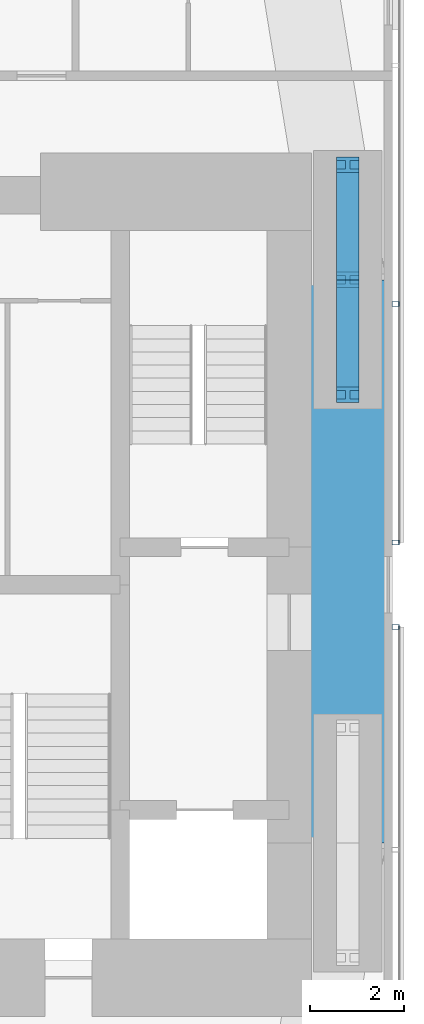
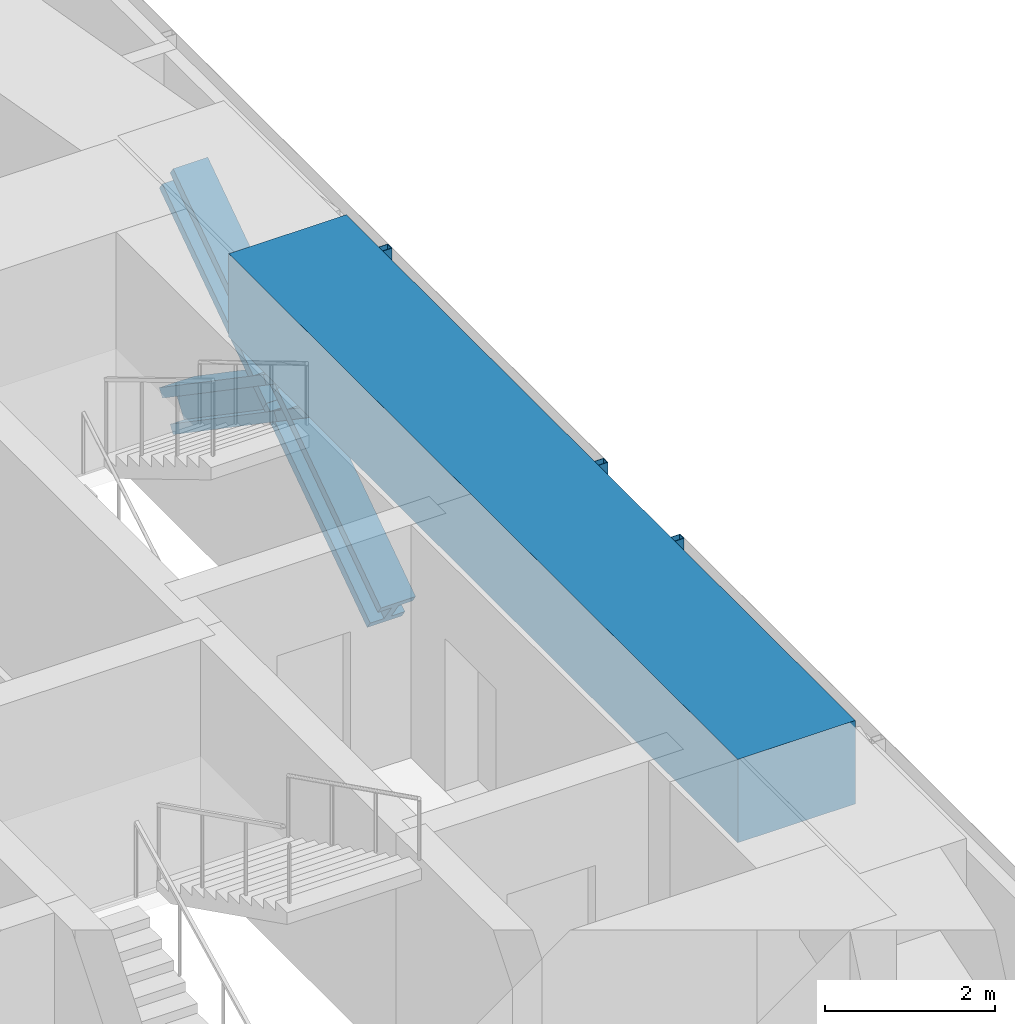
# One storey, part 10 of 24: 7 members, 1 beam, 2 elements without a shape of their own.
"""IFC4 building model written with IfcOpenShell, lengths in metres."""

from ifc_helpers import new_model, si_unit, direction, frame, origin, origin_2d, place, context, subcontext, project, spatial, rectangle, hollow_rectangle, i_section, extrude, material, material_profile, profile_set, type_object, element, aggregate, save


model = new_model("IFC4")

# Units and contexts
model_context = context("Model", 3, precision=1e-05, world=origin(), true_north=direction((0.0, 1.0)))
body_context = subcontext(model_context, "Body", "Model", "MODEL_VIEW")
ifc_project = project(units=[si_unit("LENGTHUNIT", "METRE"), si_unit("AREAUNIT", "SQUARE_METRE"), si_unit("VOLUMEUNIT", "CUBIC_METRE"), si_unit("PLANEANGLEUNIT", "RADIAN"), si_unit("MASSUNIT", "GRAM", prefix="KILO")], contexts=[model_context])

# Site, building, storey
site_placement = place(None, origin())
site = spatial("IfcSite", under=ifc_project, at=site_placement, CompositionType="ELEMENT")
building_placement = place(site_placement, origin())
building = spatial("IfcBuilding", under=site, at=building_placement, Name="Jalousie Tower", CompositionType="ELEMENT")
storey_placement = place(building_placement, frame((0.0, 0.0, 61.199951171875)))
storey = spatial("IfcBuildingStorey", under=building, at=storey_placement, Name="L16", CompositionType="ELEMENT", Elevation=61.199951171875)

# Members
ifc_material_1 = material(Name="Steel ASTM A992 Grade 50", Category="steel")
ifc_material_profile_1 = material_profile(ifc_material_1, i_section(OverallWidth=0.472412109375, OverallDepth=0.5791015625, WebThickness=0.094970703125, FlangeThickness=0.1298828125, at=origin_2d()), Name="W14X808")
ifc_profile_set_1 = profile_set([ifc_material_profile_1], Name="Steel ASTM A992 Grade 50")
member_type_1 = type_object("IfcMemberType", Name="PERIMETER BRACE W14X808", PredefinedType="BRACE", material=ifc_profile_set_1)
for number, where, z_axis, x_axis, name in (
    (1, (45.050048828125, 22.550048828125, -0.599853515625), (0.0, 0.825539243753, 0.564344714713), (-1.0, 0.0, 0.0), "Perimeter brace 07 L16 part 1"),
    (2, (45.050048828125, 25.0, 1.074951171875), (0.0, 0.825500916831, 0.564400776321), (-1.0, 0.0, 0.0), "Perimeter brace 07 L16 part 2"),
    (3, (45.050048828125, 27.449951171875, -0.599853515625), (0.0, -0.825539243753, 0.564344714713), (1.0, 0.0, 0.0), "Perimeter brace 07 L16 part 3"),
    (4, (45.050048828125, 25.0, 1.074951171875), (0.0, -0.825500916831, 0.564400776321), (1.0, 0.0, 0.0), "Perimeter brace 07 L16 part 4"),
):
    element("IfcMember", number, at=place(storey_placement, frame(where, z_axis=z_axis, x_axis=x_axis)), inside=storey, type_object=member_type_1, Name=name, PredefinedType="BRACE", context=body_context, shape_type="SweptSolid", body=[
        extrude(i_section(OverallWidth=0.472412109375, OverallDepth=0.5791015625, WebThickness=0.094970703125, FlangeThickness=0.1298828125, at=origin_2d()), origin(), (0.0, 0.0, 1.0), 2.9677734375),
    ])

# Beam
ifc_material_2 = material(Name="Concrete f'c 40 MPa", Category="concrete")
ifc_material_profile_2 = material_profile(ifc_material_2, rectangle(XDim=1.60009765625, YDim=1.199951171875, at=origin_2d()), Name="RC 1600x1200")
ifc_profile_set_2 = profile_set([ifc_material_profile_2], Name="Concrete f'c 40 MPa")
beam_type = type_object("IfcBeamType", Name="RC BEAM 1600x1200", PredefinedType="BEAM", material=ifc_profile_set_2)
beam_placement = place(storey_placement, frame((45.050048828125, 13.0, 2.75), z_axis=(0.0, 1.0, 0.0), x_axis=(-1.0, 0.0, 0.0)))
element("IfcBeam", 5, at=beam_placement, inside=storey, type_object=beam_type, Name="Edge band beam 06-07 under L17", PredefinedType="BEAM", context=body_context, shape_type="SweptSolid", body=[
    extrude(rectangle(XDim=1.60009765625, YDim=1.199951171875, at=origin_2d()), origin(), (0.0, 0.0, 1.0), 12.0),
])

# Curtain wall, member
ifc_material_3 = material(Name="Perforated aluminium sheet", Category="aluminium")
curtain_wall_type = type_object("IfcCurtainWallType", Name="SOLAR SCREEN SS-1", PredefinedType="USERDEFINED", material=ifc_material_3)
curtain_wall_1_placement = place(storey_placement, origin())
curtain_wall_1 = element("IfcCurtainWall", 6, at=curtain_wall_1_placement, inside=storey, type_object=curtain_wall_type, Name="Solar screen L16", ObjectType="SOLAR SCREEN SS-1", PredefinedType="USERDEFINED")
ifc_material_4 = material(Name="Steel ASTM A500 Grade C", Category="steel")
ifc_material_profile_3 = material_profile(ifc_material_4, hollow_rectangle(XDim=0.1015625, YDim=0.15234375, WallThickness=0.00634765625, at=origin_2d()), Name="HSS6X4X1/4")
ifc_profile_set_3 = profile_set([ifc_material_profile_3], Name="Steel ASTM A500 Grade C")
member_type_2 = type_object("IfcMemberType", Name="SOLAR SCREEN SS-1 MULLION", PredefinedType="MULLION", material=ifc_profile_set_3)
member_1_placement = place(storey_placement, frame((46.0712890625, 17.60009765625, -0.119873046875), z_axis=(0.0, 0.0, 1.0), x_axis=(0.0, 1.0, 0.0)))
member_1 = element("IfcMember", 7, at=member_1_placement, type_object=member_type_2, Name="SS1 post 4", PredefinedType="MULLION", context=body_context, shape_type="SweptSolid", body=[
    extrude(hollow_rectangle(XDim=0.1015625, YDim=0.15234375, WallThickness=0.00634765625, at=origin_2d()), origin(), (0.0, 0.0, 1.0), 3.22998046875),
])
aggregate(curtain_wall_1, [member_1])

# Curtain wall, members
curtain_wall_2_placement = place(storey_placement, origin())
curtain_wall_2 = element("IfcCurtainWall", 8, at=curtain_wall_2_placement, inside=storey, type_object=curtain_wall_type, Name="Solar screen L16", ObjectType="SOLAR SCREEN SS-1", PredefinedType="USERDEFINED")
member_2_placement = place(storey_placement, frame((46.0712890625, 19.39990234375, -0.119873046875), z_axis=(0.0, 0.0, 1.0), x_axis=(0.0, 1.0, 0.0)))
member_2 = element("IfcMember", 9, at=member_2_placement, type_object=member_type_2, Name="SS1 post 1", PredefinedType="MULLION", context=body_context, shape_type="SweptSolid", body=[
    extrude(hollow_rectangle(XDim=0.1015625, YDim=0.15234375, WallThickness=0.00634765625, at=origin_2d()), origin(), (0.0, 0.0, 1.0), 3.22998046875),
])
member_3_placement = place(storey_placement, frame((46.0712890625, 24.48291015625, -0.119873046875), z_axis=(0.0, 0.0, 1.0), x_axis=(0.0, 1.0, 0.0)))
member_3 = element("IfcMember", 10, at=member_3_placement, type_object=member_type_2, Name="SS1 post 2", PredefinedType="MULLION", context=body_context, shape_type="SweptSolid", body=[
    extrude(hollow_rectangle(XDim=0.1015625, YDim=0.15234375, WallThickness=0.00634765625, at=origin_2d()), origin(), (0.0, 0.0, 1.0), 3.22998046875),
])
aggregate(curtain_wall_2, [member_2, member_3])

save(model, "model.ifc")
